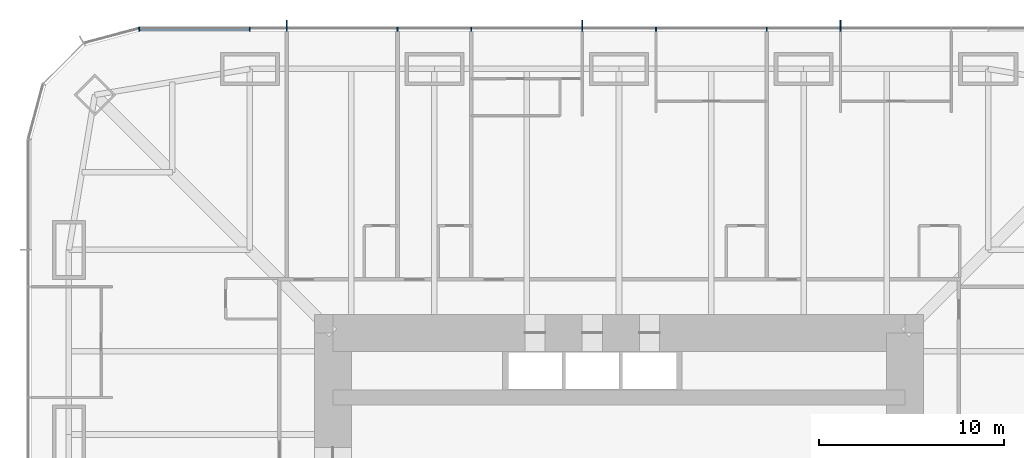
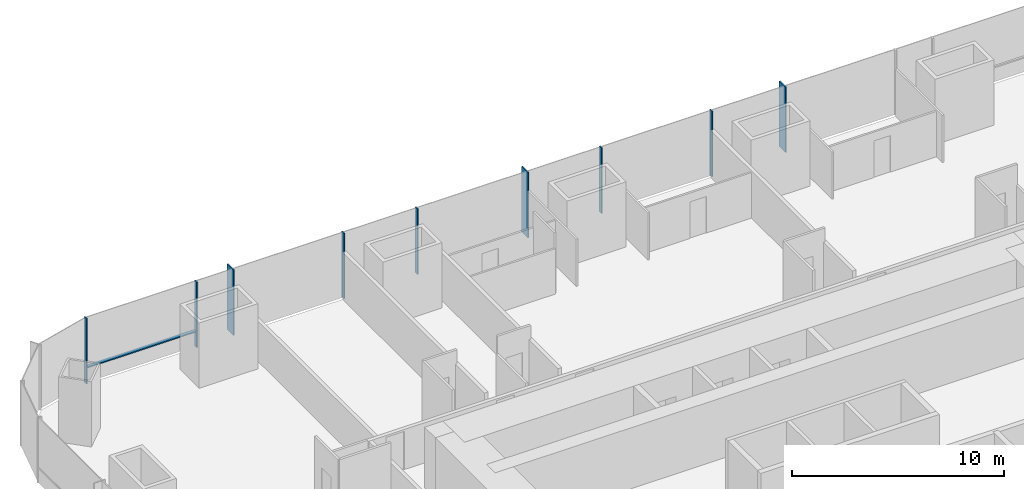
# One storey, part 11 of 20: 10 members, 2 elements without a shape of their own.
"""IFC4 building model written with IfcOpenShell, lengths in metres."""

from ifc_helpers import new_model, si_unit, direction, frame, origin, origin_2d, place, context, subcontext, project, spatial, rectangle, extrude, material, material_profile, profile_set, type_object, element, aggregate, save


model = new_model("IFC4")

# Units and contexts
model_context = context("Model", 3, precision=1e-05, world=origin(), true_north=direction((0.0, 1.0)))
body_context = subcontext(model_context, "Body", "Model", "MODEL_VIEW")
ifc_project = project(units=[si_unit("LENGTHUNIT", "METRE"), si_unit("AREAUNIT", "SQUARE_METRE"), si_unit("VOLUMEUNIT", "CUBIC_METRE"), si_unit("PLANEANGLEUNIT", "RADIAN"), si_unit("MASSUNIT", "GRAM", prefix="KILO")], contexts=[model_context])

# Site, building, storey
site_placement = place(None, origin())
site = spatial("IfcSite", under=ifc_project, at=site_placement, CompositionType="ELEMENT")
building_placement = place(site_placement, origin())
building = spatial("IfcBuilding", under=site, at=building_placement, Name="Khuree Lantern Residences", CompositionType="ELEMENT")
storey_placement = place(building_placement, frame((0.0, 0.0, 32.25)))
storey = spatial("IfcBuildingStorey", under=building, at=storey_placement, Name="L07", CompositionType="ELEMENT", Elevation=32.25)

# Curtain wall, members
ifc_material = material(Name="Bronze anodised aluminium", Category="aluminium")
curtain_wall_type_1 = type_object("IfcCurtainWallType", Name="CW-T1 TOWER FACE CURTAIN WALL", PredefinedType="USERDEFINED", material=ifc_material)
curtain_wall_1_placement = place(storey_placement, origin())
curtain_wall_1 = element("IfcCurtainWall", 1, at=curtain_wall_1_placement, inside=storey, type_object=curtain_wall_type_1, Name="L07 NORTH FACE CURTAIN WALL", ObjectType="Stick-built curtain wall", PredefinedType="USERDEFINED")
ifc_material_profile_1 = material_profile(ifc_material, rectangle(XDim=0.06494140625, YDim=0.60009765625, at=origin_2d()), Name="F1 65X600")
ifc_profile_set_1 = profile_set([ifc_material_profile_1], Name="Bronze anodised aluminium")
member_type_1 = type_object("IfcMemberType", Name="F1 BRONZE FIN MULLION TOWER 65X600", PredefinedType="MULLION", material=ifc_profile_set_1)
member_1_placement = place(storey_placement, frame((12.0, 32.14990234375, 0.0), z_axis=(0.0, 0.0, 1.0), x_axis=(-1.0, 0.0, 0.0)))
member_1 = element("IfcMember", 2, at=member_1_placement, type_object=member_type_1, Name="L07 NORTH FACE FIN MULLION 21", PredefinedType="MULLION", context=body_context, shape_type="SweptSolid", body=[
    extrude(rectangle(XDim=0.06494140625, YDim=0.60009765625, at=origin_2d()), origin(), (0.0, 0.0, 1.0), 3.75),
])
member_2_placement = place(storey_placement, frame((-2.0, 32.14990234375, 0.0), z_axis=(0.0, 0.0, 1.0), x_axis=(-1.0, 0.0, 0.0)))
member_2 = element("IfcMember", 3, at=member_2_placement, type_object=member_type_1, Name="L07 NORTH FACE FIN MULLION 24", PredefinedType="MULLION", context=body_context, shape_type="SweptSolid", body=[
    extrude(rectangle(XDim=0.06494140625, YDim=0.60009765625, at=origin_2d()), origin(), (0.0, 0.0, 1.0), 3.75),
])
member_3_placement = place(storey_placement, frame((-18.0, 32.14990234375, 0.0), z_axis=(0.0, 0.0, 1.0), x_axis=(-1.0, 0.0, 0.0)))
member_3 = element("IfcMember", 4, at=member_3_placement, type_object=member_type_1, Name="L07 NORTH FACE FIN MULLION 27", PredefinedType="MULLION", context=body_context, shape_type="SweptSolid", body=[
    extrude(rectangle(XDim=0.06494140625, YDim=0.60009765625, at=origin_2d()), origin(), (0.0, 0.0, 1.0), 3.75),
])
ifc_material_profile_2 = material_profile(ifc_material, rectangle(XDim=0.06494140625, YDim=0.219970703125, at=origin_2d()), Name="M1 65X220")
ifc_profile_set_2 = profile_set([ifc_material_profile_2], Name="Bronze anodised aluminium")
member_type_2 = type_object("IfcMemberType", Name="M1 BRONZE MULLION TOWER 65X220", PredefinedType="MULLION", material=ifc_profile_set_2)
member_4_placement = place(storey_placement, frame((8.0, 31.9599609375, 0.0), z_axis=(0.0, 0.0, 1.0), x_axis=(-1.0, 0.0, 0.0)))
member_4 = element("IfcMember", 5, at=member_4_placement, type_object=member_type_2, Name="L07 NORTH FACE MULLION 22", PredefinedType="MULLION", context=body_context, shape_type="SweptSolid", body=[
    extrude(rectangle(XDim=0.06494140625, YDim=0.219970703125, at=origin_2d()), origin(), (0.0, 0.0, 1.0), 3.75),
])
member_5_placement = place(storey_placement, frame((2.0, 31.9599609375, 0.0), z_axis=(0.0, 0.0, 1.0), x_axis=(-1.0, 0.0, 0.0)))
member_5 = element("IfcMember", 6, at=member_5_placement, type_object=member_type_2, Name="L07 NORTH FACE MULLION 23", PredefinedType="MULLION", context=body_context, shape_type="SweptSolid", body=[
    extrude(rectangle(XDim=0.06494140625, YDim=0.219970703125, at=origin_2d()), origin(), (0.0, 0.0, 1.0), 3.75),
])
member_6_placement = place(storey_placement, frame((-8.0, 31.9599609375, 0.0), z_axis=(0.0, 0.0, 1.0), x_axis=(-1.0, 0.0, 0.0)))
member_6 = element("IfcMember", 7, at=member_6_placement, type_object=member_type_2, Name="L07 NORTH FACE MULLION 25", PredefinedType="MULLION", context=body_context, shape_type="SweptSolid", body=[
    extrude(rectangle(XDim=0.06494140625, YDim=0.219970703125, at=origin_2d()), origin(), (0.0, 0.0, 1.0), 3.75),
])
member_7_placement = place(storey_placement, frame((-12.0, 31.9599609375, 0.0), z_axis=(0.0, 0.0, 1.0), x_axis=(-1.0, 0.0, 0.0)))
member_7 = element("IfcMember", 8, at=member_7_placement, type_object=member_type_2, Name="L07 NORTH FACE MULLION 26", PredefinedType="MULLION", context=body_context, shape_type="SweptSolid", body=[
    extrude(rectangle(XDim=0.06494140625, YDim=0.219970703125, at=origin_2d()), origin(), (0.0, 0.0, 1.0), 3.75),
])
member_8_placement = place(storey_placement, frame((-20.0, 31.9599609375, 0.0), z_axis=(0.0, 0.0, 1.0), x_axis=(-1.0, 0.0, 0.0)))
member_8 = element("IfcMember", 9, at=member_8_placement, type_object=member_type_2, Name="L07 NORTH FACE MULLION 28", PredefinedType="MULLION", context=body_context, shape_type="SweptSolid", body=[
    extrude(rectangle(XDim=0.06494140625, YDim=0.219970703125, at=origin_2d()), origin(), (0.0, 0.0, 1.0), 3.75),
])

# Curtain wall, member
curtain_wall_type_2 = type_object("IfcCurtainWallType", Name="CW-T2 TOWER CORNER CURTAIN WALL", PredefinedType="USERDEFINED", material=ifc_material)
curtain_wall_2_placement = place(storey_placement, origin())
curtain_wall_2 = element("IfcCurtainWall", 10, at=curtain_wall_2_placement, inside=storey, type_object=curtain_wall_type_2, Name="L07 NORTH-WEST CORNER CURTAIN WALL", ObjectType="Faceted corner curtain wall", PredefinedType="USERDEFINED")
member_9_placement = place(storey_placement, frame((-25.994873046875, 31.961669921875, 0.0), z_axis=(0.0, 0.0, 1.0), x_axis=(-0.991444852794, -0.130526257387, 0.0)))
member_9 = element("IfcMember", 11, at=member_9_placement, type_object=member_type_2, Name="L07 NORTH-WEST CORNER MULLION 29", PredefinedType="MULLION", context=body_context, shape_type="SweptSolid", body=[
    extrude(rectangle(XDim=0.06494140625, YDim=0.219970703125, at=origin_2d()), origin(), (0.0, 0.0, 1.0), 3.75),
])
aggregate(curtain_wall_2, [member_9])

# Member
ifc_material_profile_3 = material_profile(ifc_material, rectangle(XDim=0.179931640625, YDim=0.06494140625, at=origin_2d()), Name="T1 180X65")
ifc_profile_set_3 = profile_set([ifc_material_profile_3], Name="Bronze anodised aluminium")
member_type_3 = type_object("IfcMemberType", Name="TRANSOM T1 TOWER 180X65", PredefinedType="USERDEFINED", material=ifc_profile_set_3)
member_10_placement = place(storey_placement, frame((-20.032470703125, 31.969970703125, 0.89990234375), z_axis=(-1.0, 0.0, 0.0), x_axis=(0.0, -1.0, 0.0)))
member_10 = element("IfcMember", 12, at=member_10_placement, type_object=member_type_3, Name="L07 NORTH FACE TRANSOM 28.1", ObjectType="Transom", PredefinedType="USERDEFINED", context=body_context, shape_type="SweptSolid", body=[
    extrude(rectangle(XDim=0.179931640625, YDim=0.06494140625, at=origin_2d()), origin(), (0.0, 0.0, 1.0), 5.9189453125),
])

aggregate(curtain_wall_1, [member_1, member_4, member_5, member_2, member_6, member_7, member_3, member_8, member_10])

save(model, "model.ifc")
